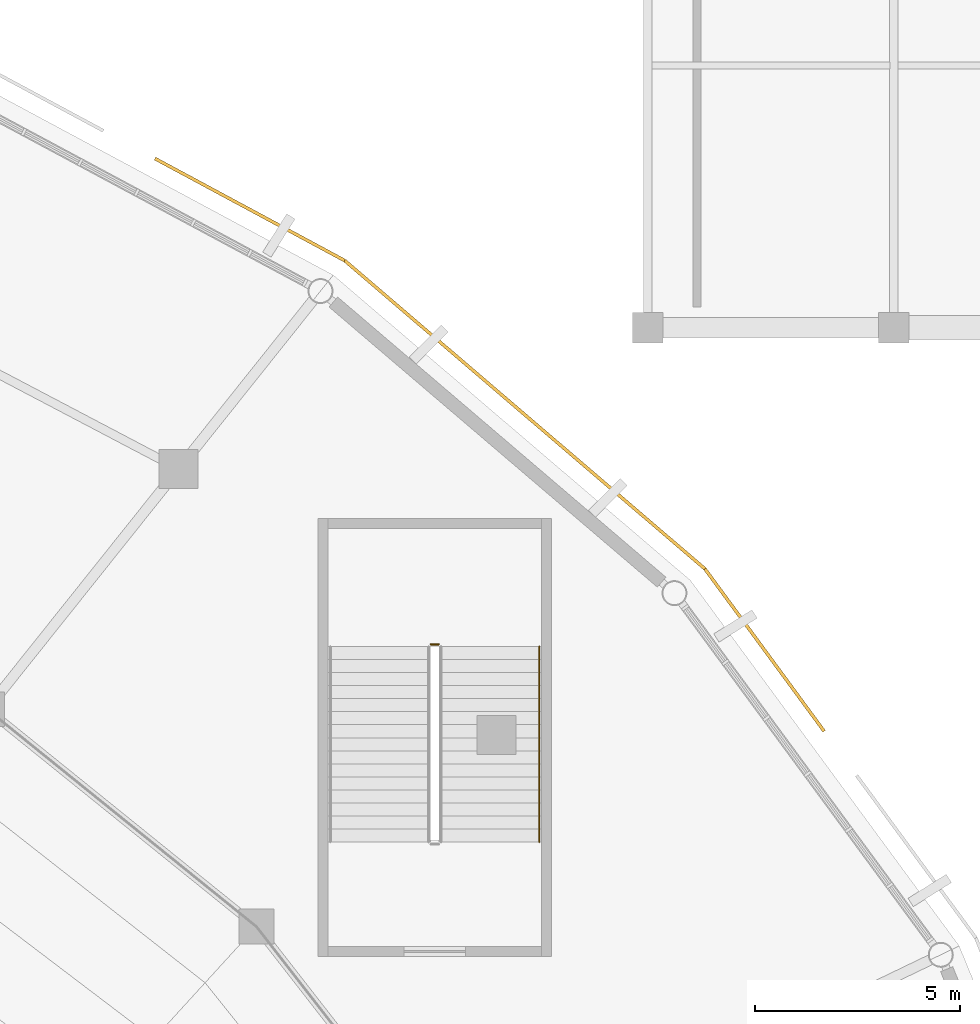
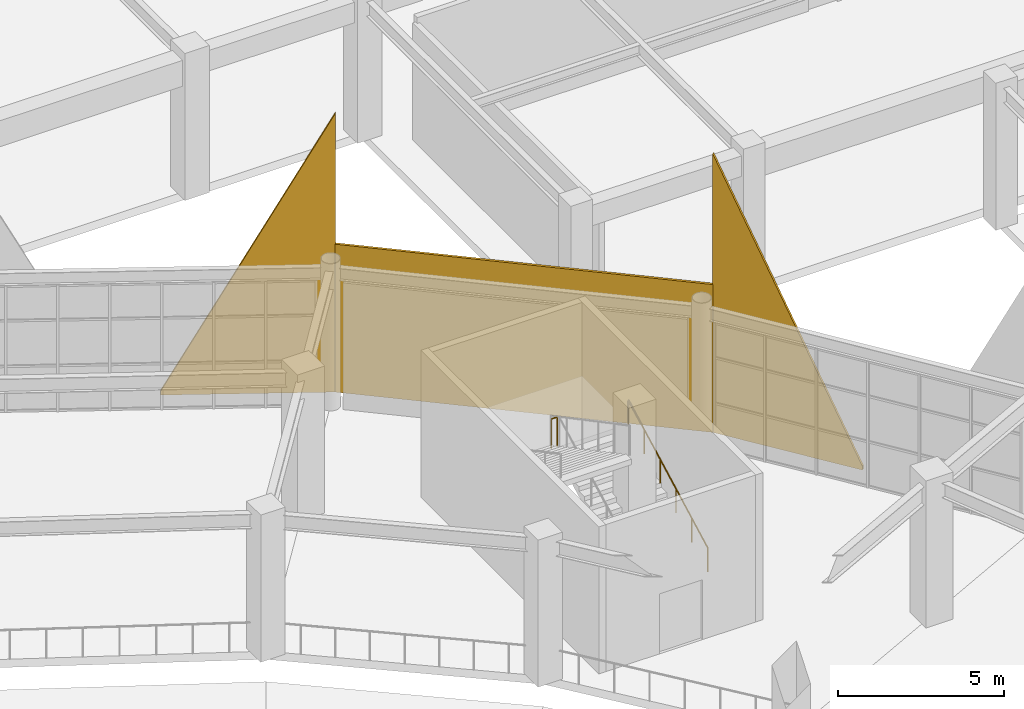
# One storey, part 111 of 120: 3 coverings, 2 railings.
"""IFC4 building model written with IfcOpenShell, lengths in metres."""

from ifc_helpers import new_model, si_unit, direction, frame, frame_2d, origin, origin_2d, place, context, subcontext, project, spatial, polyline, rectangle, circle, outline, extrude, material, layer, layer_set, type_object, element, save


model = new_model("IFC4")

# Units and contexts
model_context = context("Model", 3, precision=1e-05, world=origin(), true_north=direction((0.0, 1.0)))
body_context = subcontext(model_context, "Body", "Model", "MODEL_VIEW")
ifc_project = project(units=[si_unit("LENGTHUNIT", "METRE"), si_unit("AREAUNIT", "SQUARE_METRE"), si_unit("VOLUMEUNIT", "CUBIC_METRE"), si_unit("PLANEANGLEUNIT", "RADIAN"), si_unit("MASSUNIT", "GRAM", prefix="KILO")], contexts=[model_context])

# Site, building, storey
site_placement = place(None, origin())
site = spatial("IfcSite", under=ifc_project, at=site_placement, CompositionType="ELEMENT")
building_placement = place(site_placement, origin())
building = spatial("IfcBuilding", under=site, at=building_placement, Name="Cuetzalor Civic Arena", CompositionType="ELEMENT")
storey_placement = place(building_placement, frame((0.0, 0.0, 6.0)))
storey = spatial("IfcBuildingStorey", under=building, at=storey_placement, Name="L01", CompositionType="ELEMENT", Elevation=6.0)

# Railings
ifc_material_1 = material(Name="Reseda-green architectural Steel S355 balustrade", Category="steel")
railing_type_1 = type_object("IfcRailingType", Name="InteriorVoidBalustrade_1100", PredefinedType="BALUSTRADE", material=ifc_material_1)
railing_1_placement = place(storey_placement, frame((36.89990234375, 27.77001953125, 2.699951171875)))
element("IfcRailing", 1, at=railing_1_placement, inside=storey, type_object=railing_type_1, Name="L01 ST-02 stair guard 2", PredefinedType="BALUSTRADE", context=body_context, shape_type="SweptSolid", body=[
    extrude(circle(Radius=0.02392578125, at=origin_2d()), frame((0.0, 0.0, 1.0810546875), z_axis=(-1.0, 0.0, 0.0), x_axis=(0.0, -1.0, 0.0)), (0.0, 0.0, 1.0), 0.199951171875),
    extrude(circle(Radius=0.02099609375, at=origin_2d()), origin(), (0.0, 0.0, 1.0), 1.056884765625),
    extrude(circle(Radius=0.02099609375, at=origin_2d()), frame((-0.199951171875, 0.0, 0.0)), (0.0, 0.0, 1.0), 1.056884765625),
])
ifc_material_2 = material(Name="Galvanised steel S355", Category="steel")
railing_type_2 = type_object("IfcRailingType", Name="StairPitchHandrail_900", PredefinedType="HANDRAIL", material=ifc_material_2)
railing_2_placement = place(storey_placement, frame((39.35009765625, 22.949951171875, 0.168701171875)))
element("IfcRailing", 2, at=railing_2_placement, inside=storey, type_object=railing_type_2, Name="L01 ST-02 stair handrail 1", PredefinedType="HANDRAIL", context=body_context, shape_type="SweptSolid", body=[
    extrude(circle(Radius=0.02392578125, at=origin_2d()), frame((0.0, 0.0, 0.8759765625), z_axis=(0.0, 0.883332211103, 0.468747485143), x_axis=(-1.0, 0.0, 0.0)), (0.0, 0.0, 1.0), 5.400146484375),
    extrude(circle(Radius=0.02099609375, at=origin_2d()), origin(), (0.0, 0.0, 1.0), 0.851806640625),
    extrude(circle(Radius=0.02099609375, at=origin_2d()), frame((0.0, 0.9541015625, 0.50634765625)), (0.0, 0.0, 1.0), 0.851806640625),
    extrude(circle(Radius=0.02099609375, at=origin_2d()), frame((0.0, 1.907958984375, 1.012451171875)), (0.0, 0.0, 1.0), 0.851806640625),
    extrude(circle(Radius=0.02099609375, at=origin_2d()), frame((0.0, 2.862060546875, 1.518798828125)), (0.0, 0.0, 1.0), 0.851806640625),
    extrude(circle(Radius=0.02099609375, at=origin_2d()), frame((0.0, 3.81591796875, 2.02490234375)), (0.0, 0.0, 1.0), 0.851806640625),
    extrude(circle(Radius=0.02099609375, at=origin_2d()), frame((0.0, 4.77001953125, 2.53125)), (0.0, 0.0, 1.0), 0.851806640625),
])

# Coverings
ifc_material_3 = material(Name="Terracotta-red perforated anodised aluminium panel", Category="masonry")
ifc_layer = layer(ifc_material_3, 0.080078125)
ifc_layer_set = layer_set([ifc_layer], Name="Terracotta-red perforated anodised aluminium panel")
covering_type = type_object("IfcCoveringType", Name="TerracottaPerforatedScreenPanel", PredefinedType="CLADDING", material=ifc_layer_set)
covering_1_placement = place(storey_placement, frame((43.3916015625, 29.61572265625, -0.14990234375), z_axis=(0.0, 0.0, 1.0), x_axis=(0.59182430591, -0.806066989111, 0.0)))
element("IfcCovering", 3, at=covering_1_placement, inside=storey, type_object=covering_type, Name="Terracotta Perforated Triangle Cheek Left S03", PredefinedType="CLADDING", context=body_context, shape_type="SweptSolid", body=[
    extrude(outline(polyline([(0.0, 0.0), (4.916015625, 0.0), (4.916015625, 0.139892578125), (0.0, 10.22998046875), (0.0, 0.0)])), frame((0.0, 0.0400390625, 0.0), z_axis=(0.0, -1.0, 0.0), x_axis=(1.0, 0.0, 0.0)), (0.0, 0.0, 1.0), 0.080078125),
])
covering_2_placement = place(storey_placement, frame((34.603759765625, 37.136962890625, -0.14990234375), z_axis=(0.0, 0.0, 1.0), x_axis=(0.759734649699, -0.650233236652, 0.0)))
element("IfcCovering", 4, at=covering_2_placement, inside=storey, type_object=covering_type, Name="Terracotta Perforated Drum Screen L01-S04", PredefinedType="CLADDING", context=body_context, shape_type="SweptSolid", body=[
    extrude(rectangle(XDim=11.56689453125, YDim=0.080078125, at=frame_2d((5.783447265625, 0.0))), origin(), (0.0, 0.0, 1.0), 5.429931640625),
])
covering_3_placement = place(storey_placement, frame((29.973388671875, 39.626953125, -0.14990234375), z_axis=(0.0, 0.0, 1.0), x_axis=(0.880731910717, -0.473615140641, 0.0)))
element("IfcCovering", 5, at=covering_3_placement, inside=storey, type_object=covering_type, Name="Terracotta Perforated Triangle Cheek Right S05", PredefinedType="CLADDING", context=body_context, shape_type="SweptSolid", body=[
    extrude(outline(polyline([(0.0, 0.0), (5.25732421875, 0.0), (5.25732421875, 10.22998046875), (0.0, 0.139892578125), (0.0, 0.0)])), frame((0.0, 0.0400390625, 0.0), z_axis=(0.0, -1.0, 0.0), x_axis=(1.0, 0.0, 0.0)), (0.0, 0.0, 1.0), 0.080078125),
])

save(model, "model.ifc")
